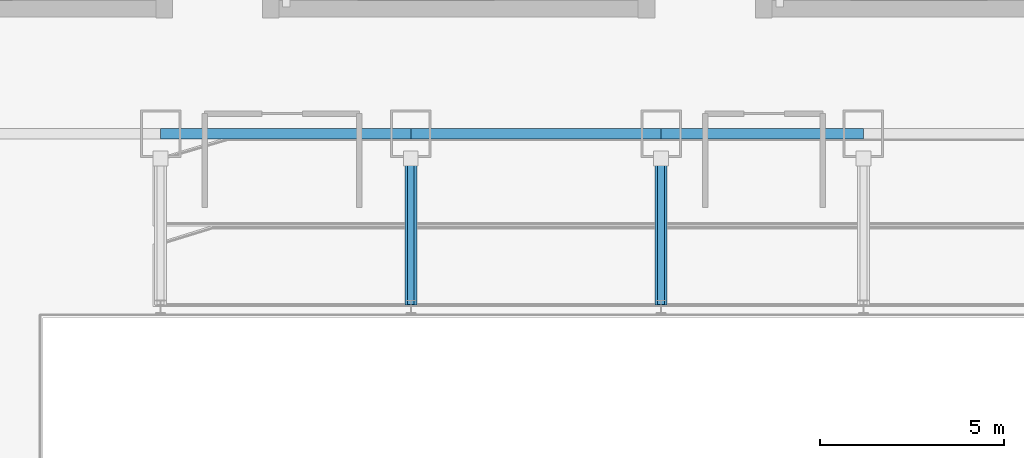
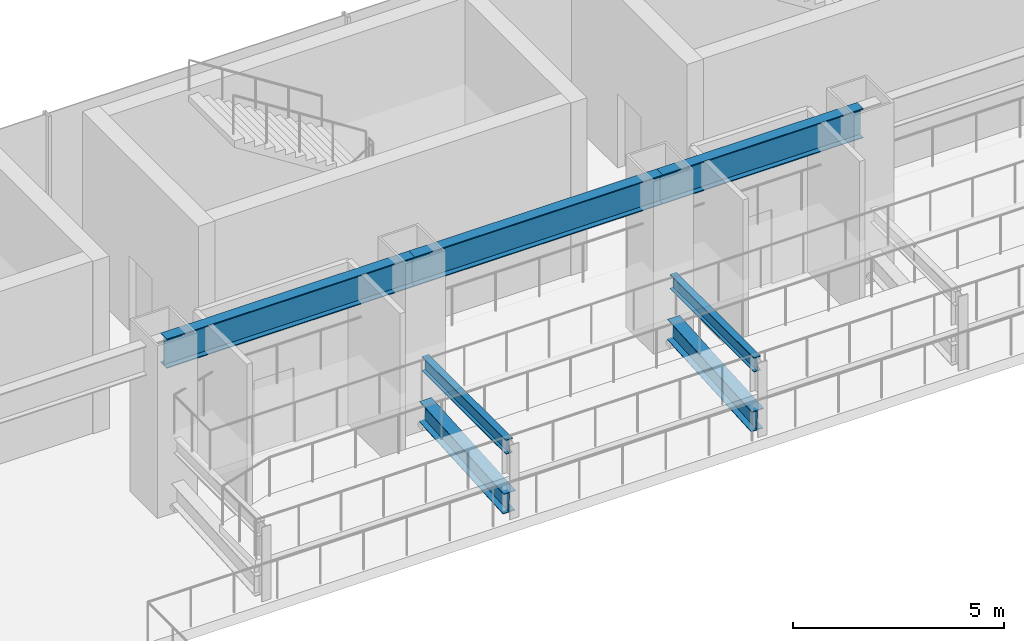
# One storey, part 13 of 39: 7 beams.
"""IFC4 building model written with IfcOpenShell, lengths in metres."""

from ifc_helpers import new_model, si_unit, derived_unit, direction, frame, origin, origin_2d, place, context, subcontext, project, spatial, i_section, extrude, source, transform, mapped, material, material_profile, profile_set, type_object, element, save


model = new_model("IFC4")

# Units and contexts
model_context = context("Model", 3, precision=1e-05, world=origin(), true_north=direction((0.0, 1.0)))
body_context = subcontext(model_context, "Body", "Model", "MODEL_VIEW")
ifc_project = project(units=[si_unit("LENGTHUNIT", "METRE"), si_unit("AREAUNIT", "SQUARE_METRE"), si_unit("VOLUMEUNIT", "CUBIC_METRE"), si_unit("PLANEANGLEUNIT", "RADIAN"), si_unit("MASSUNIT", "GRAM", prefix="KILO"), derived_unit("THERMALTRANSMITTANCEUNIT", [(si_unit("POWERUNIT", "WATT"), 1), (si_unit("LENGTHUNIT", "METRE"), -2), (si_unit("THERMODYNAMICTEMPERATUREUNIT", "KELVIN"), -1)])], contexts=[model_context])

# Site, building, storey
site_placement = place(None, origin())
site = spatial("IfcSite", under=ifc_project, at=site_placement, CompositionType="ELEMENT")
building_placement = place(site_placement, origin())
building = spatial("IfcBuilding", under=site, at=building_placement, Name="Skarnbrae Concourse Arena and Tower", CompositionType="ELEMENT")
storey_placement = place(building_placement, frame((0.0, 0.0, 16.0)))
storey = spatial("IfcBuildingStorey", under=building, at=storey_placement, Name="L03", CompositionType="ELEMENT", Elevation=16.0)

# Beams
ifc_material = material(Name="Steel CSA G40.21 350W", Category="steel")
ifc_material_profile_1 = material_profile(ifc_material, i_section(OverallWidth=0.2939453125, OverallDepth=0.85107421875, WebThickness=0.01611328125, FlangeThickness=0.02685546875, at=origin_2d()), Name="W840X226")
ifc_profile_set_1 = profile_set([ifc_material_profile_1], Name="Steel CSA G40.21 350W")
beam_type_1 = type_object("IfcBeamType", Name="BM-GIRD-W840X226", PredefinedType="BEAM", material=ifc_profile_set_1)
shared_shape_1 = source(origin(), body_context, "Body", "SweptSolid", [
    extrude(i_section(OverallWidth=0.2939453125, OverallDepth=0.85107421875, WebThickness=0.01611328125, FlangeThickness=0.02685546875, at=origin_2d()), origin(), (0.0, 0.0, 1.0), 6.800048828125),
])
for number, where, z_axis, x_axis, name in (
    (1, (14.39990234375, 47.0, 4.2744140625), (1.0, 0.0, 0.0), (0.0, 1.0, 0.0), "L03 Podium north girder 3"),
    (2, (21.199951171875, 47.0, 4.2744140625), (1.0, 0.0, 0.0), (0.0, 1.0, 0.0), "L03 Podium north girder 4"),
):
    element("IfcBeam", number, at=place(storey_placement, frame(where, z_axis=z_axis, x_axis=x_axis)), inside=storey, type_object=beam_type_1, Name=name, PredefinedType="BEAM", context=body_context, shape_type="MappedRepresentation", body=[
        mapped(shared_shape_1, transform((0.0, 0.0, 0.0))),
    ])
shared_shape_2 = source(origin(), body_context, "Body", "SweptSolid", [
    extrude(i_section(OverallWidth=0.2939453125, OverallDepth=0.85107421875, WebThickness=0.01611328125, FlangeThickness=0.02685546875, at=origin_2d()), origin(), (0.0, 0.0, 1.0), 5.5),
])
beam_placement = place(storey_placement, frame((28.0, 47.0, 4.2744140625), z_axis=(1.0, 0.0, 0.0), x_axis=(0.0, 1.0, 0.0)))
element("IfcBeam", 3, at=beam_placement, inside=storey, type_object=beam_type_1, Name="L03 Podium north girder 5", PredefinedType="BEAM", context=body_context, shape_type="MappedRepresentation", body=[
    mapped(shared_shape_2, transform((0.0, 0.0, 0.0))),
])
ifc_material_profile_2 = material_profile(ifc_material, i_section(OverallWidth=0.180908203125, OverallDepth=0.4169921875, WebThickness=0.010986328125, FlangeThickness=0.018310546875, at=origin_2d()), Name="W410X85")
ifc_profile_set_2 = profile_set([ifc_material_profile_2], Name="Steel CSA G40.21 350W")
beam_type_2 = type_object("IfcBeamType", Name="BM-JOIST-W410X85", PredefinedType="JOIST", material=ifc_profile_set_2)
shared_shape_3 = source(origin(), body_context, "Body", "SweptSolid", [
    extrude(i_section(OverallWidth=0.180908203125, OverallDepth=0.4169921875, WebThickness=0.010986328125, FlangeThickness=0.018310546875, at=origin_2d()), origin(), (0.0, 0.0, 1.0), 4.0),
])
for number, where, z_axis, x_axis, name in (
    (4, (21.199951171875, 42.360107421875, 1.94140625), (0.0, 1.0, 0.0), (-1.0, 0.0, 0.0), "L03 Arena upper seating tier cradle beam N02"),
    (5, (28.0, 42.360107421875, 1.94140625), (0.0, 1.0, 0.0), (-1.0, 0.0, 0.0), "L03 Arena upper seating tier cradle beam N03"),
):
    element("IfcBeam", number, at=place(storey_placement, frame(where, z_axis=z_axis, x_axis=x_axis)), inside=storey, type_object=beam_type_2, Name=name, PredefinedType="JOIST", context=body_context, shape_type="MappedRepresentation", body=[
        mapped(shared_shape_3, transform((0.0, 0.0, 0.0))),
    ])
ifc_material_profile_3 = material_profile(ifc_material, i_section(OverallWidth=0.323974609375, OverallDepth=0.611083984375, WebThickness=0.0126953125, FlangeThickness=0.01904296875, at=origin_2d()), Name="W610X155")
ifc_profile_set_3 = profile_set([ifc_material_profile_3], Name="Steel CSA G40.21 350W")
beam_type_3 = type_object("IfcBeamType", Name="BM-RAKER-W610X155", PredefinedType="USERDEFINED", material=ifc_profile_set_3)
shared_shape_4 = source(origin(), body_context, "Body", "SweptSolid", [
    extrude(i_section(OverallWidth=0.323974609375, OverallDepth=0.611083984375, WebThickness=0.0126953125, FlangeThickness=0.01904296875, at=origin_2d()), origin(), (0.0, 0.0, 1.0), 4.008544921875),
])
for number, where, z_axis, x_axis, name in (
    (6, (21.199951171875, 42.360107421875, 0.320068359375), (0.0, 0.997894012809, 0.064865547097), (-1.0, 0.0, 0.0), "L03 Arena bowl sloped raker beam RB-N02"),
    (7, (28.0, 42.360107421875, 0.320068359375), (0.0, 0.997894012809, 0.064865547097), (-1.0, 0.0, 0.0), "L03 Arena bowl sloped raker beam RB-N03"),
):
    element("IfcBeam", number, at=place(storey_placement, frame(where, z_axis=z_axis, x_axis=x_axis)), inside=storey, type_object=beam_type_3, Name=name, ObjectType="RAKER", PredefinedType="USERDEFINED", context=body_context, shape_type="MappedRepresentation", body=[
        mapped(shared_shape_4, transform((0.0, 0.0, 0.0))),
    ])

save(model, "model.ifc")
